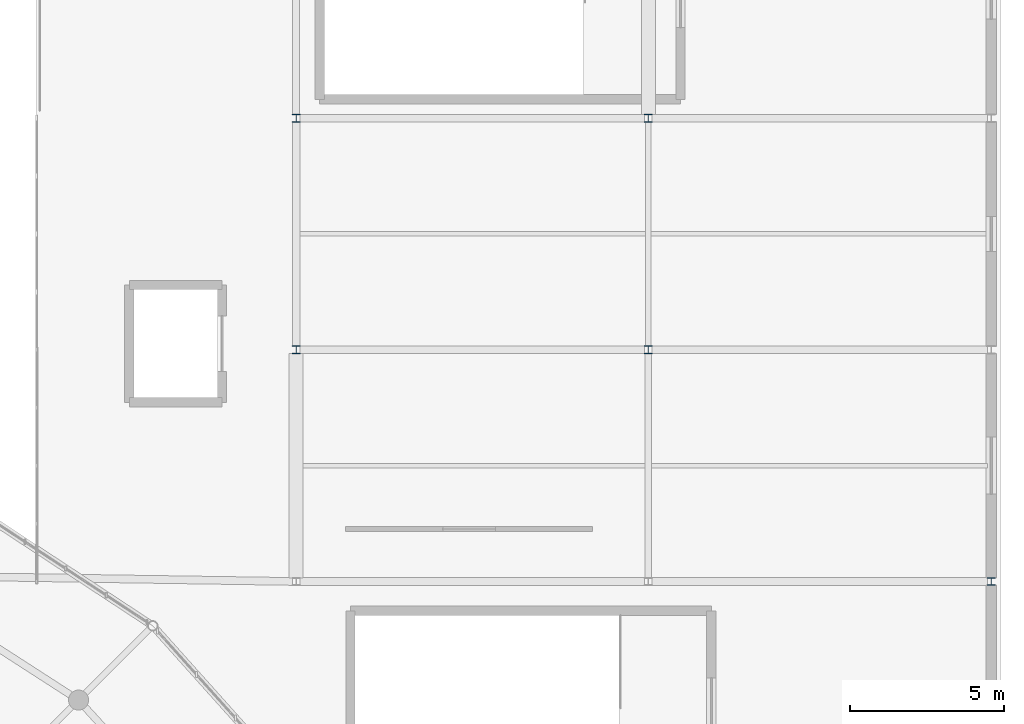
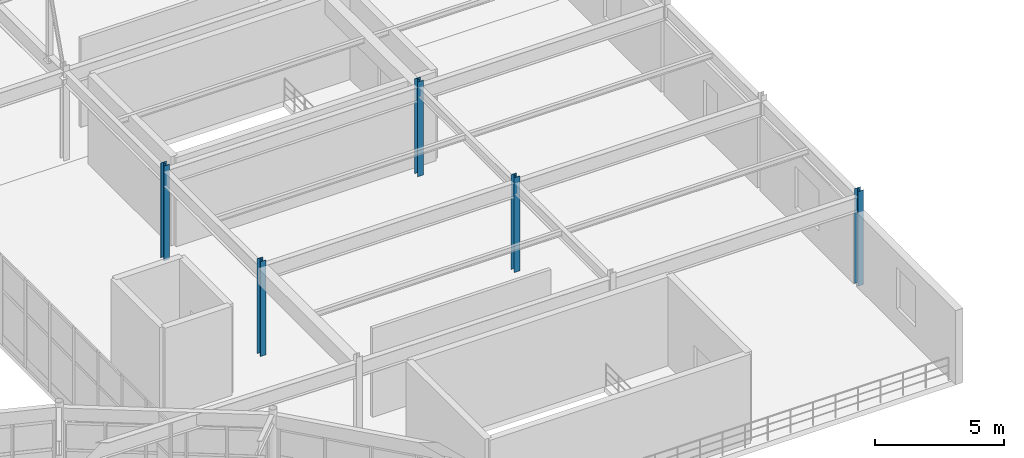
# One storey, part 19 of 112: 5 columns.
"""IFC4 building model written with IfcOpenShell, lengths in metres."""

from ifc_helpers import new_model, si_unit, direction, frame, origin, origin_2d, place, context, subcontext, project, spatial, i_section, extrude, material, material_profile, profile_set, type_object, element, save


model = new_model("IFC4")

# Units and contexts
model_context = context("Model", 3, precision=1e-05, world=origin(), true_north=direction((0.0, 1.0)))
body_context = subcontext(model_context, "Body", "Model", "MODEL_VIEW")
ifc_project = project(units=[si_unit("LENGTHUNIT", "METRE"), si_unit("AREAUNIT", "SQUARE_METRE"), si_unit("VOLUMEUNIT", "CUBIC_METRE"), si_unit("PLANEANGLEUNIT", "RADIAN"), si_unit("MASSUNIT", "GRAM", prefix="KILO")], contexts=[model_context])

# Site, building, storey
site_placement = place(None, origin())
site = spatial("IfcSite", under=ifc_project, at=site_placement, CompositionType="ELEMENT")
building_placement = place(site_placement, origin())
building = spatial("IfcBuilding", under=site, at=building_placement, Name="Cinderbank Siding Concert Hall", CompositionType="ELEMENT")
storey_placement = place(building_placement, frame((0.0, 0.0, 10.199951171875)))
storey = spatial("IfcBuildingStorey", under=building, at=storey_placement, Name="L03", CompositionType="ELEMENT", Elevation=10.199951171875)

# Columns
ifc_material = material(Name="Structural steel AS/NZS 3679.1 Grade 350 (340 MPa)", Category="steel")
ifc_material_profile = material_profile(ifc_material, i_section(OverallWidth=0.25390625, OverallDepth=0.25390625, WebThickness=0.008544921875, FlangeThickness=0.01416015625, at=origin_2d()), Name="250UC72.9", Category="LoadBearing")
ifc_profile_set = profile_set([ifc_material_profile], Name="Structural steel AS/NZS 3679.1 Grade 350 (340 MPa)")
column_type = type_object("IfcColumnType", Name="C-UC250 250UC72.9", PredefinedType="COLUMN", material=ifc_profile_set)
for number, where, z_axis, x_axis, name in (
    (1, (150.39990234375, 73.300048828125, 0.0), (0.0, 0.0, 1.0), (1.0, 0.0, 0.0), "L03 Column COL-EL-1-2"),
    (2, (150.39990234375, 80.800048828125, 0.0), (0.0, 0.0, 1.0), (1.0, 0.0, 0.0), "L03 Column COL-EL-1-3"),
    (3, (161.800048828125, 73.300048828125, 0.0), (0.0, 0.0, 1.0), (1.0, 0.0, 0.0), "L03 Column COL-EL-2-2"),
    (4, (161.800048828125, 80.800048828125, 0.0), (0.0, 0.0, 1.0), (1.0, 0.0, 0.0), "L03 Column COL-EL-2-3"),
    (5, (172.89990234375, 65.800048828125, 0.0), (0.0, 0.0, 1.0), (1.0, 0.0, 0.0), "L03 Column COL-EL-3-1"),
):
    element("IfcColumn", number, at=place(storey_placement, frame(where, z_axis=z_axis, x_axis=x_axis)), inside=storey, type_object=column_type, Name=name, PredefinedType="COLUMN", context=body_context, shape_type="SweptSolid", body=[
        extrude(i_section(OverallWidth=0.25390625, OverallDepth=0.25390625, WebThickness=0.008544921875, FlangeThickness=0.01416015625, at=origin_2d()), origin(), (0.0, 0.0, 1.0), 4.5),
    ])

save(model, "model.ifc")
